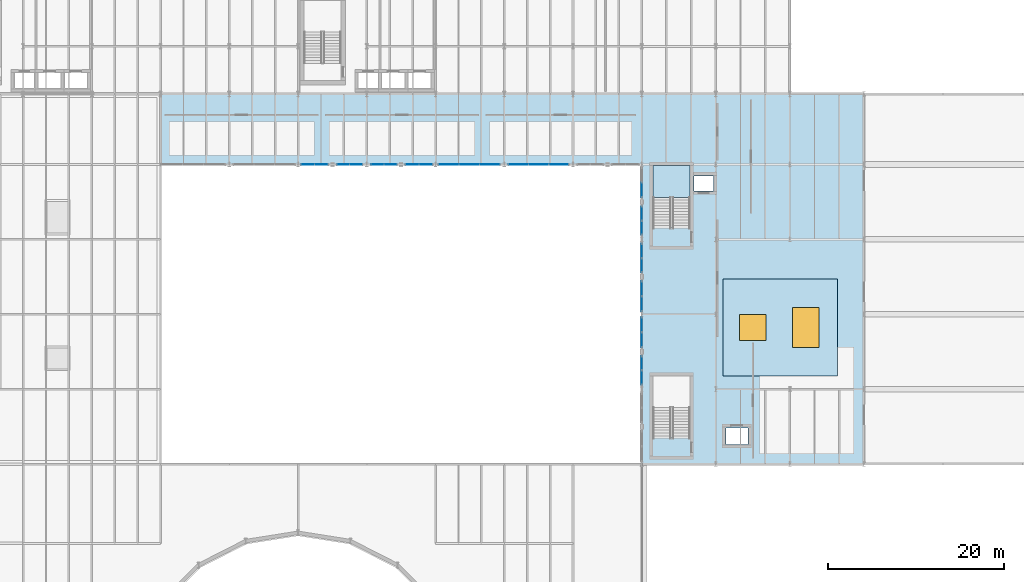
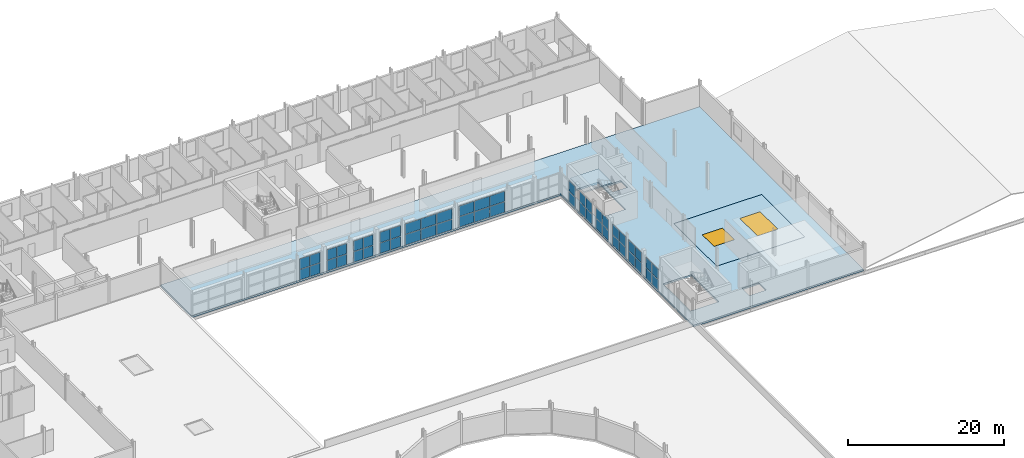
# One storey, part 34 of 58: 50 plates, 3 slabs, 2 windows, 2 openings, 13 elements without a shape of their own.
"""IFC4 building model written with IfcOpenShell, lengths in metres."""

from ifc_helpers import new_model, si_unit, direction, frame, origin, origin_2d, place, context, subcontext, project, spatial, polyline, rectangle, outline, extrude, material, layer, layer_set, type_object, element, fill, aggregate, save


model = new_model("IFC4")

# Units and contexts
model_context = context("Model", 3, precision=1e-05, world=origin(), true_north=direction((0.0, 1.0)))
body_context = subcontext(model_context, "Body", "Model", "MODEL_VIEW")
ifc_project = project(units=[si_unit("LENGTHUNIT", "METRE"), si_unit("AREAUNIT", "SQUARE_METRE"), si_unit("VOLUMEUNIT", "CUBIC_METRE"), si_unit("PLANEANGLEUNIT", "RADIAN"), si_unit("MASSUNIT", "GRAM", prefix="KILO")], contexts=[model_context])

# Site, building, storey
site_placement = place(None, origin())
site = spatial("IfcSite", under=ifc_project, at=site_placement, CompositionType="ELEMENT")
building_placement = place(site_placement, origin())
building = spatial("IfcBuilding", under=site, at=building_placement, Name="Sefraquen Railside Congress Hotel", CompositionType="ELEMENT")
storey_placement = place(building_placement, frame((0.0, 0.0, 16.199951171875)))
storey = spatial("IfcBuildingStorey", under=building, at=storey_placement, Name="L03", CompositionType="ELEMENT", Elevation=16.199951171875)

# Curtain wall, plates
ifc_material_1 = material(Name="Thermally broken anodised aluminium and low-E double glazing", Category="aluminium")
ifc_layer_1 = layer(ifc_material_1, 0.199951171875)
ifc_layer_set_1 = layer_set([ifc_layer_1], Name="Thermally broken anodised aluminium and low-E double glazing")
curtain_wall_type_1 = type_object("IfcCurtainWallType", Name="TCW-UCW-01", PredefinedType="USERDEFINED", material=ifc_layer_set_1)
curtain_wall_1_placement = place(storey_placement, origin())
curtain_wall_1 = element("IfcCurtainWall", 1, at=curtain_wall_1_placement, inside=storey, type_object=curtain_wall_type_1, Name="Meeting Wing L03 courtyard north curtain wall 2", ObjectType="UNITISED CURTAIN WALL", PredefinedType="USERDEFINED")
ifc_material_2 = material(Name="Solar-control low-E double glazing", Category="glass")
ifc_layer_2 = layer(ifc_material_2, 0.02392578125)
ifc_layer_set_2 = layer_set([ifc_layer_2], Name="Solar-control low-E double glazing")
plate_type_1 = type_object("IfcPlateType", Name="TP-CWP-01", PredefinedType="CURTAIN_PANEL", material=ifc_layer_set_2)
plate_1_placement = place(storey_placement, frame((65.28759765625, 88.0, 0.0400390625), z_axis=(0.0, 0.0, 1.0), x_axis=(1.0, 0.0, 0.0)))
plate_1 = element("IfcPlate", 2, at=plate_1_placement, type_object=plate_type_1, Name="CW-L03-065 panel 1.1", PredefinedType="CURTAIN_PANEL", context=body_context, shape_type="SweptSolid", body=[
    extrude(rectangle(XDim=1.465087890625, YDim=0.02392578125, at=origin_2d()), origin(), (0.0, 0.0, 1.0), 1.60498046875),
])
plate_2_placement = place(storey_placement, frame((66.842529296875, 88.0, 0.0400390625), z_axis=(0.0, 0.0, 1.0), x_axis=(1.0, 0.0, 0.0)))
plate_2 = element("IfcPlate", 3, at=plate_2_placement, type_object=plate_type_1, Name="CW-L03-065 panel 1.2", PredefinedType="CURTAIN_PANEL", context=body_context, shape_type="SweptSolid", body=[
    extrude(rectangle(XDim=1.465087890625, YDim=0.02392578125, at=origin_2d()), origin(), (0.0, 0.0, 1.0), 1.60498046875),
])

curtain_wall_2_placement = place(storey_placement, origin())
curtain_wall_2 = element("IfcCurtainWall", 4, at=curtain_wall_2_placement, inside=storey, type_object=curtain_wall_type_1, Name="Meeting Wing L03 courtyard north curtain wall 2 bay 2", ObjectType="UNITISED CURTAIN WALL", PredefinedType="USERDEFINED")
plate_3_placement = place(storey_placement, frame((69.31494140625, 88.0, 0.0400390625), z_axis=(0.0, 0.0, 1.0), x_axis=(1.0, 0.0, 0.0)))
plate_3 = element("IfcPlate", 5, at=plate_3_placement, type_object=plate_type_1, Name="CW-L03-065-S2 panel 1.1", PredefinedType="CURTAIN_PANEL", context=body_context, shape_type="SweptSolid", body=[
    extrude(rectangle(XDim=1.3798828125, YDim=0.02392578125, at=origin_2d()), origin(), (0.0, 0.0, 1.0), 1.60498046875),
])
plate_4_placement = place(storey_placement, frame((70.784912109375, 88.0, 0.0400390625), z_axis=(0.0, 0.0, 1.0), x_axis=(1.0, 0.0, 0.0)))
plate_4 = element("IfcPlate", 6, at=plate_4_placement, type_object=plate_type_1, Name="CW-L03-065-S2 panel 1.2", PredefinedType="CURTAIN_PANEL", context=body_context, shape_type="SweptSolid", body=[
    extrude(rectangle(XDim=1.3798828125, YDim=0.02392578125, at=origin_2d()), origin(), (0.0, 0.0, 1.0), 1.60498046875),
])

curtain_wall_3_placement = place(storey_placement, origin())
curtain_wall_3 = element("IfcCurtainWall", 7, at=curtain_wall_3_placement, inside=storey, type_object=curtain_wall_type_1, Name="Meeting Wing L03 courtyard north curtain wall 2 bay 3", ObjectType="UNITISED CURTAIN WALL", PredefinedType="USERDEFINED")
plate_5_placement = place(storey_placement, frame((73.215087890625, 88.0, 0.0400390625), z_axis=(0.0, 0.0, 1.0), x_axis=(1.0, 0.0, 0.0)))
plate_5 = element("IfcPlate", 8, at=plate_5_placement, type_object=plate_type_1, Name="CW-L03-065-S3 panel 1.1", PredefinedType="CURTAIN_PANEL", context=body_context, shape_type="SweptSolid", body=[
    extrude(rectangle(XDim=1.3798828125, YDim=0.02392578125, at=origin_2d()), origin(), (0.0, 0.0, 1.0), 1.60498046875),
])
plate_6_placement = place(storey_placement, frame((74.68505859375, 88.0, 0.0400390625), z_axis=(0.0, 0.0, 1.0), x_axis=(1.0, 0.0, 0.0)))
plate_6 = element("IfcPlate", 9, at=plate_6_placement, type_object=plate_type_1, Name="CW-L03-065-S3 panel 1.2", PredefinedType="CURTAIN_PANEL", context=body_context, shape_type="SweptSolid", body=[
    extrude(rectangle(XDim=1.3798828125, YDim=0.02392578125, at=origin_2d()), origin(), (0.0, 0.0, 1.0), 1.60498046875),
])

curtain_wall_4_placement = place(storey_placement, origin())
curtain_wall_4 = element("IfcCurtainWall", 10, at=curtain_wall_4_placement, inside=storey, type_object=curtain_wall_type_1, Name="Meeting Wing L03 courtyard north curtain wall 2 bay 4", ObjectType="UNITISED CURTAIN WALL", PredefinedType="USERDEFINED")
plate_7_placement = place(storey_placement, frame((77.157470703125, 88.0, 0.0400390625), z_axis=(0.0, 0.0, 1.0), x_axis=(1.0, 0.0, 0.0)))
plate_7 = element("IfcPlate", 11, at=plate_7_placement, type_object=plate_type_1, Name="CW-L03-065-S4 panel 1.1", PredefinedType="CURTAIN_PANEL", context=body_context, shape_type="SweptSolid", body=[
    extrude(rectangle(XDim=1.465087890625, YDim=0.02392578125, at=origin_2d()), origin(), (0.0, 0.0, 1.0), 1.60498046875),
])
plate_8_placement = place(storey_placement, frame((78.71240234375, 88.0, 0.0400390625), z_axis=(0.0, 0.0, 1.0), x_axis=(1.0, 0.0, 0.0)))
plate_8 = element("IfcPlate", 12, at=plate_8_placement, type_object=plate_type_1, Name="CW-L03-065-S4 panel 1.2", PredefinedType="CURTAIN_PANEL", context=body_context, shape_type="SweptSolid", body=[
    extrude(rectangle(XDim=1.465087890625, YDim=0.02392578125, at=origin_2d()), origin(), (0.0, 0.0, 1.0), 1.60498046875),
])

ifc_layer_3 = layer(ifc_material_1, 0.199951171875)
ifc_layer_set_3 = layer_set([ifc_layer_3], Name="Thermally broken anodised aluminium and low-E double glazing")
curtain_wall_type_2 = type_object("IfcCurtainWallType", Name="TCW-UCW-02", PredefinedType="USERDEFINED", material=ifc_layer_set_3)
curtain_wall_5_placement = place(storey_placement, origin())
curtain_wall_5 = element("IfcCurtainWall", 13, at=curtain_wall_5_placement, inside=storey, type_object=curtain_wall_type_2, Name="Meeting Wing L03 courtyard north curtain wall 3", ObjectType="UNITISED CURTAIN WALL", PredefinedType="USERDEFINED")
plate_9_placement = place(storey_placement, frame((81.2783203125, 88.0, 0.0400390625), z_axis=(0.0, 0.0, 1.0), x_axis=(1.0, 0.0, 0.0)))
plate_9 = element("IfcPlate", 14, at=plate_9_placement, type_object=plate_type_1, Name="CW-L03-066 panel 1.1", PredefinedType="CURTAIN_PANEL", context=body_context, shape_type="SweptSolid", body=[
    extrude(rectangle(XDim=2.24658203125, YDim=0.02392578125, at=origin_2d()), origin(), (0.0, 0.0, 1.0), 1.60498046875),
])
plate_10_placement = place(storey_placement, frame((83.614990234375, 88.0, 0.0400390625), z_axis=(0.0, 0.0, 1.0), x_axis=(1.0, 0.0, 0.0)))
plate_10 = element("IfcPlate", 15, at=plate_10_placement, type_object=plate_type_1, Name="CW-L03-066 panel 1.2", PredefinedType="CURTAIN_PANEL", context=body_context, shape_type="SweptSolid", body=[
    extrude(rectangle(XDim=2.24658203125, YDim=0.02392578125, at=origin_2d()), origin(), (0.0, 0.0, 1.0), 1.60498046875),
])
plate_11_placement = place(storey_placement, frame((85.95166015625, 88.0, 0.0400390625), z_axis=(0.0, 0.0, 1.0), x_axis=(1.0, 0.0, 0.0)))
plate_11 = element("IfcPlate", 16, at=plate_11_placement, type_object=plate_type_1, Name="CW-L03-066 panel 1.3", PredefinedType="CURTAIN_PANEL", context=body_context, shape_type="SweptSolid", body=[
    extrude(rectangle(XDim=2.24658203125, YDim=0.02392578125, at=origin_2d()), origin(), (0.0, 0.0, 1.0), 1.60498046875),
])

curtain_wall_6_placement = place(storey_placement, origin())
curtain_wall_6 = element("IfcCurtainWall", 17, at=curtain_wall_6_placement, inside=storey, type_object=curtain_wall_type_2, Name="Meeting Wing L03 courtyard north curtain wall 3 bay 2", ObjectType="UNITISED CURTAIN WALL", PredefinedType="USERDEFINED")
plate_12_placement = place(storey_placement, frame((89.219970703125, 88.0, 0.0400390625), z_axis=(0.0, 0.0, 1.0), x_axis=(1.0, 0.0, 0.0)))
plate_12 = element("IfcPlate", 18, at=plate_12_placement, type_object=plate_type_1, Name="CW-L03-066-S2 panel 1.1", PredefinedType="CURTAIN_PANEL", context=body_context, shape_type="SweptSolid", body=[
    extrude(rectangle(XDim=2.18994140625, YDim=0.02392578125, at=origin_2d()), origin(), (0.0, 0.0, 1.0), 1.60498046875),
])
plate_13_placement = place(storey_placement, frame((91.5, 88.0, 0.0400390625), z_axis=(0.0, 0.0, 1.0), x_axis=(1.0, 0.0, 0.0)))
plate_13 = element("IfcPlate", 19, at=plate_13_placement, type_object=plate_type_1, Name="CW-L03-066-S2 panel 1.2", PredefinedType="CURTAIN_PANEL", context=body_context, shape_type="SweptSolid", body=[
    extrude(rectangle(XDim=2.18994140625, YDim=0.02392578125, at=origin_2d()), origin(), (0.0, 0.0, 1.0), 1.60498046875),
])
plate_14_placement = place(storey_placement, frame((93.780029296875, 88.0, 0.0400390625), z_axis=(0.0, 0.0, 1.0), x_axis=(1.0, 0.0, 0.0)))
plate_14 = element("IfcPlate", 20, at=plate_14_placement, type_object=plate_type_1, Name="CW-L03-066-S2 panel 1.3", PredefinedType="CURTAIN_PANEL", context=body_context, shape_type="SweptSolid", body=[
    extrude(rectangle(XDim=2.18994140625, YDim=0.02392578125, at=origin_2d()), origin(), (0.0, 0.0, 1.0), 1.60498046875),
])

ifc_layer_4 = layer(ifc_material_1, 0.199951171875)
ifc_layer_set_4 = layer_set([ifc_layer_4], Name="Thermally broken anodised aluminium and low-E double glazing")
curtain_wall_type_3 = type_object("IfcCurtainWallType", Name="TCW-UCW-03", PredefinedType="USERDEFINED", material=ifc_layer_set_4)
curtain_wall_7_placement = place(storey_placement, origin())
curtain_wall_7 = element("IfcCurtainWall", 21, at=curtain_wall_7_placement, inside=storey, type_object=curtain_wall_type_3, Name="Meeting Wing L03 courtyard east curtain wall bay 3", ObjectType="UNITISED CURTAIN WALL", PredefinedType="USERDEFINED")
plate_15_placement = place(storey_placement, frame((103.199951171875, 63.802490234375, 0.0400390625), z_axis=(0.0, 0.0, 1.0), x_axis=(0.0, 1.0, 0.0)))
plate_15 = element("IfcPlate", 22, at=plate_15_placement, type_object=plate_type_1, Name="CW-L03-067-S3 panel 1.1", PredefinedType="CURTAIN_PANEL", context=body_context, shape_type="SweptSolid", body=[
    extrude(rectangle(XDim=1.554931640625, YDim=0.02392578125, at=origin_2d()), origin(), (0.0, 0.0, 1.0), 1.60498046875),
])
plate_16_placement = place(storey_placement, frame((103.199951171875, 65.447509765625, 0.0400390625), z_axis=(0.0, 0.0, 1.0), x_axis=(0.0, 1.0, 0.0)))
plate_16 = element("IfcPlate", 23, at=plate_16_placement, type_object=plate_type_1, Name="CW-L03-067-S3 panel 1.2", PredefinedType="CURTAIN_PANEL", context=body_context, shape_type="SweptSolid", body=[
    extrude(rectangle(XDim=1.554931640625, YDim=0.02392578125, at=origin_2d()), origin(), (0.0, 0.0, 1.0), 1.60498046875),
])

curtain_wall_8_placement = place(storey_placement, origin())
curtain_wall_8 = element("IfcCurtainWall", 24, at=curtain_wall_8_placement, inside=storey, type_object=curtain_wall_type_3, Name="Meeting Wing L03 courtyard east curtain wall bay 4", ObjectType="UNITISED CURTAIN WALL", PredefinedType="USERDEFINED")
plate_17_placement = place(storey_placement, frame((103.199951171875, 68.094970703125, 0.0400390625), z_axis=(0.0, 0.0, 1.0), x_axis=(0.0, 1.0, 0.0)))
plate_17 = element("IfcPlate", 25, at=plate_17_placement, type_object=plate_type_1, Name="CW-L03-067-S4 panel 1.1", PredefinedType="CURTAIN_PANEL", context=body_context, shape_type="SweptSolid", body=[
    extrude(rectangle(XDim=1.639892578125, YDim=0.02392578125, at=origin_2d()), origin(), (0.0, 0.0, 1.0), 1.60498046875),
])
plate_18_placement = place(storey_placement, frame((103.199951171875, 69.824951171875, 0.0400390625), z_axis=(0.0, 0.0, 1.0), x_axis=(0.0, 1.0, 0.0)))
plate_18 = element("IfcPlate", 26, at=plate_18_placement, type_object=plate_type_1, Name="CW-L03-067-S4 panel 1.2", PredefinedType="CURTAIN_PANEL", context=body_context, shape_type="SweptSolid", body=[
    extrude(rectangle(XDim=1.639892578125, YDim=0.02392578125, at=origin_2d()), origin(), (0.0, 0.0, 1.0), 1.60498046875),
])

ifc_layer_5 = layer(ifc_material_1, 0.199951171875)
ifc_layer_set_5 = layer_set([ifc_layer_5], Name="Thermally broken anodised aluminium and low-E double glazing")
curtain_wall_type_4 = type_object("IfcCurtainWallType", Name="TCW-UCW-04", PredefinedType="USERDEFINED", material=ifc_layer_set_5)
curtain_wall_9_placement = place(storey_placement, origin())
curtain_wall_9 = element("IfcCurtainWall", 27, at=curtain_wall_9_placement, inside=storey, type_object=curtain_wall_type_4, Name="Meeting Wing L03 courtyard east curtain wall", ObjectType="UNITISED CURTAIN WALL", PredefinedType="USERDEFINED")
plate_19_placement = place(storey_placement, frame((103.199951171875, 72.175048828125, 0.0400390625), z_axis=(0.0, 0.0, 1.0), x_axis=(0.0, 1.0, 0.0)))
plate_19 = element("IfcPlate", 28, at=plate_19_placement, type_object=plate_type_1, Name="CW-L03-068 panel 1.1", PredefinedType="CURTAIN_PANEL", context=body_context, shape_type="SweptSolid", body=[
    extrude(rectangle(XDim=1.639892578125, YDim=0.02392578125, at=origin_2d()), origin(), (0.0, 0.0, 1.0), 1.60498046875),
])
plate_20_placement = place(storey_placement, frame((103.199951171875, 73.905029296875, 0.0400390625), z_axis=(0.0, 0.0, 1.0), x_axis=(0.0, 1.0, 0.0)))
plate_20 = element("IfcPlate", 29, at=plate_20_placement, type_object=plate_type_1, Name="CW-L03-068 panel 1.2", PredefinedType="CURTAIN_PANEL", context=body_context, shape_type="SweptSolid", body=[
    extrude(rectangle(XDim=1.639892578125, YDim=0.02392578125, at=origin_2d()), origin(), (0.0, 0.0, 1.0), 1.60498046875),
])

curtain_wall_10_placement = place(storey_placement, origin())
curtain_wall_10 = element("IfcCurtainWall", 30, at=curtain_wall_10_placement, inside=storey, type_object=curtain_wall_type_4, Name="Meeting Wing L03 courtyard east curtain wall bay 2", ObjectType="UNITISED CURTAIN WALL", PredefinedType="USERDEFINED")
plate_21_placement = place(storey_placement, frame((103.199951171875, 76.552490234375, 0.0400390625), z_axis=(0.0, 0.0, 1.0), x_axis=(0.0, 1.0, 0.0)))
plate_21 = element("IfcPlate", 31, at=plate_21_placement, type_object=plate_type_1, Name="CW-L03-068-S2 panel 1.1", PredefinedType="CURTAIN_PANEL", context=body_context, shape_type="SweptSolid", body=[
    extrude(rectangle(XDim=1.554931640625, YDim=0.02392578125, at=origin_2d()), origin(), (0.0, 0.0, 1.0), 1.60498046875),
])
plate_22_placement = place(storey_placement, frame((103.199951171875, 78.197509765625, 0.0400390625), z_axis=(0.0, 0.0, 1.0), x_axis=(0.0, 1.0, 0.0)))
plate_22 = element("IfcPlate", 32, at=plate_22_placement, type_object=plate_type_1, Name="CW-L03-068-S2 panel 1.2", PredefinedType="CURTAIN_PANEL", context=body_context, shape_type="SweptSolid", body=[
    extrude(rectangle(XDim=1.554931640625, YDim=0.02392578125, at=origin_2d()), origin(), (0.0, 0.0, 1.0), 1.60498046875),
])

curtain_wall_11_placement = place(storey_placement, origin())
curtain_wall_11 = element("IfcCurtainWall", 33, at=curtain_wall_11_placement, inside=storey, type_object=curtain_wall_type_4, Name="Meeting Wing L03 courtyard east curtain wall bay 3", ObjectType="UNITISED CURTAIN WALL", PredefinedType="USERDEFINED")
plate_23_placement = place(storey_placement, frame((103.199951171875, 80.802490234375, 0.0400390625), z_axis=(0.0, 0.0, 1.0), x_axis=(0.0, 1.0, 0.0)))
plate_23 = element("IfcPlate", 34, at=plate_23_placement, type_object=plate_type_1, Name="CW-L03-068-S3 panel 1.1", PredefinedType="CURTAIN_PANEL", context=body_context, shape_type="SweptSolid", body=[
    extrude(rectangle(XDim=1.554931640625, YDim=0.02392578125, at=origin_2d()), origin(), (0.0, 0.0, 1.0), 1.60498046875),
])
plate_24_placement = place(storey_placement, frame((103.199951171875, 82.447509765625, 0.0400390625), z_axis=(0.0, 0.0, 1.0), x_axis=(0.0, 1.0, 0.0)))
plate_24 = element("IfcPlate", 35, at=plate_24_placement, type_object=plate_type_1, Name="CW-L03-068-S3 panel 1.2", PredefinedType="CURTAIN_PANEL", context=body_context, shape_type="SweptSolid", body=[
    extrude(rectangle(XDim=1.554931640625, YDim=0.02392578125, at=origin_2d()), origin(), (0.0, 0.0, 1.0), 1.60498046875),
])

# Curtain wall, plate
curtain_wall_12_placement = place(storey_placement, origin())
curtain_wall_12 = element("IfcCurtainWall", 36, at=curtain_wall_12_placement, inside=storey, type_object=curtain_wall_type_4, Name="Meeting Wing L03 courtyard east curtain wall bay 4", ObjectType="UNITISED CURTAIN WALL", PredefinedType="USERDEFINED")
plate_25_placement = place(storey_placement, frame((103.199951171875, 85.094970703125, 0.0400390625), z_axis=(0.0, 0.0, 1.0), x_axis=(0.0, 1.0, 0.0)))
plate_25 = element("IfcPlate", 37, at=plate_25_placement, type_object=plate_type_1, Name="CW-L03-068-S4 panel 1.1", PredefinedType="CURTAIN_PANEL", context=body_context, shape_type="SweptSolid", body=[
    extrude(rectangle(XDim=1.639892578125, YDim=0.02392578125, at=origin_2d()), origin(), (0.0, 0.0, 1.0), 1.60498046875),
])

# Plate
ifc_material_3 = material(Name="Triple acoustic solar-control glazing", Category="glass")
ifc_layer_6 = layer(ifc_material_3, 0.031982421875)
ifc_layer_set_6 = layer_set([ifc_layer_6], Name="Triple acoustic solar-control glazing")
plate_type_2 = type_object("IfcPlateType", Name="TP-CWP-02", PredefinedType="CURTAIN_PANEL", material=ifc_layer_set_6)
plate_26_placement = place(storey_placement, frame((65.28759765625, 88.0, 1.72509765625), z_axis=(0.0, 0.0, 1.0), x_axis=(1.0, 0.0, 0.0)))
plate_26 = element("IfcPlate", 38, at=plate_26_placement, type_object=plate_type_2, Name="CW-L03-065 panel 2.1", PredefinedType="CURTAIN_PANEL", context=body_context, shape_type="SweptSolid", body=[
    extrude(rectangle(XDim=1.465087890625, YDim=0.031982421875, at=origin_2d()), origin(), (0.0, 0.0, 1.0), 1.60498046875),
])

plate_27_placement = place(storey_placement, frame((66.842529296875, 88.0, 1.72509765625), z_axis=(0.0, 0.0, 1.0), x_axis=(1.0, 0.0, 0.0)))
plate_27 = element("IfcPlate", 39, at=plate_27_placement, type_object=plate_type_2, Name="CW-L03-065 panel 2.2", PredefinedType="CURTAIN_PANEL", context=body_context, shape_type="SweptSolid", body=[
    extrude(rectangle(XDim=1.465087890625, YDim=0.031982421875, at=origin_2d()), origin(), (0.0, 0.0, 1.0), 1.60498046875),
])

aggregate(curtain_wall_1, [plate_1, plate_2, plate_26, plate_27])

plate_28_placement = place(storey_placement, frame((69.31494140625, 88.0, 1.72509765625), z_axis=(0.0, 0.0, 1.0), x_axis=(1.0, 0.0, 0.0)))
plate_28 = element("IfcPlate", 40, at=plate_28_placement, type_object=plate_type_2, Name="CW-L03-065-S2 panel 2.1", PredefinedType="CURTAIN_PANEL", context=body_context, shape_type="SweptSolid", body=[
    extrude(rectangle(XDim=1.3798828125, YDim=0.031982421875, at=origin_2d()), origin(), (0.0, 0.0, 1.0), 1.60498046875),
])

plate_29_placement = place(storey_placement, frame((70.784912109375, 88.0, 1.72509765625), z_axis=(0.0, 0.0, 1.0), x_axis=(1.0, 0.0, 0.0)))
plate_29 = element("IfcPlate", 41, at=plate_29_placement, type_object=plate_type_2, Name="CW-L03-065-S2 panel 2.2", PredefinedType="CURTAIN_PANEL", context=body_context, shape_type="SweptSolid", body=[
    extrude(rectangle(XDim=1.3798828125, YDim=0.031982421875, at=origin_2d()), origin(), (0.0, 0.0, 1.0), 1.60498046875),
])

aggregate(curtain_wall_2, [plate_3, plate_4, plate_28, plate_29])

plate_30_placement = place(storey_placement, frame((73.215087890625, 88.0, 1.72509765625), z_axis=(0.0, 0.0, 1.0), x_axis=(1.0, 0.0, 0.0)))
plate_30 = element("IfcPlate", 42, at=plate_30_placement, type_object=plate_type_2, Name="CW-L03-065-S3 panel 2.1", PredefinedType="CURTAIN_PANEL", context=body_context, shape_type="SweptSolid", body=[
    extrude(rectangle(XDim=1.3798828125, YDim=0.031982421875, at=origin_2d()), origin(), (0.0, 0.0, 1.0), 1.60498046875),
])

plate_31_placement = place(storey_placement, frame((74.68505859375, 88.0, 1.72509765625), z_axis=(0.0, 0.0, 1.0), x_axis=(1.0, 0.0, 0.0)))
plate_31 = element("IfcPlate", 43, at=plate_31_placement, type_object=plate_type_2, Name="CW-L03-065-S3 panel 2.2", PredefinedType="CURTAIN_PANEL", context=body_context, shape_type="SweptSolid", body=[
    extrude(rectangle(XDim=1.3798828125, YDim=0.031982421875, at=origin_2d()), origin(), (0.0, 0.0, 1.0), 1.60498046875),
])

aggregate(curtain_wall_3, [plate_5, plate_6, plate_30, plate_31])

plate_32_placement = place(storey_placement, frame((77.157470703125, 88.0, 1.72509765625), z_axis=(0.0, 0.0, 1.0), x_axis=(1.0, 0.0, 0.0)))
plate_32 = element("IfcPlate", 44, at=plate_32_placement, type_object=plate_type_2, Name="CW-L03-065-S4 panel 2.1", PredefinedType="CURTAIN_PANEL", context=body_context, shape_type="SweptSolid", body=[
    extrude(rectangle(XDim=1.465087890625, YDim=0.031982421875, at=origin_2d()), origin(), (0.0, 0.0, 1.0), 1.60498046875),
])

plate_33_placement = place(storey_placement, frame((78.71240234375, 88.0, 1.72509765625), z_axis=(0.0, 0.0, 1.0), x_axis=(1.0, 0.0, 0.0)))
plate_33 = element("IfcPlate", 45, at=plate_33_placement, type_object=plate_type_2, Name="CW-L03-065-S4 panel 2.2", PredefinedType="CURTAIN_PANEL", context=body_context, shape_type="SweptSolid", body=[
    extrude(rectangle(XDim=1.465087890625, YDim=0.031982421875, at=origin_2d()), origin(), (0.0, 0.0, 1.0), 1.60498046875),
])

aggregate(curtain_wall_4, [plate_7, plate_8, plate_32, plate_33])

plate_34_placement = place(storey_placement, frame((81.2783203125, 88.0, 1.72509765625), z_axis=(0.0, 0.0, 1.0), x_axis=(1.0, 0.0, 0.0)))
plate_34 = element("IfcPlate", 46, at=plate_34_placement, type_object=plate_type_2, Name="CW-L03-066 panel 2.1", PredefinedType="CURTAIN_PANEL", context=body_context, shape_type="SweptSolid", body=[
    extrude(rectangle(XDim=2.24658203125, YDim=0.031982421875, at=origin_2d()), origin(), (0.0, 0.0, 1.0), 1.60498046875),
])

plate_35_placement = place(storey_placement, frame((83.614990234375, 88.0, 1.72509765625), z_axis=(0.0, 0.0, 1.0), x_axis=(1.0, 0.0, 0.0)))
plate_35 = element("IfcPlate", 47, at=plate_35_placement, type_object=plate_type_2, Name="CW-L03-066 panel 2.2", PredefinedType="CURTAIN_PANEL", context=body_context, shape_type="SweptSolid", body=[
    extrude(rectangle(XDim=2.24658203125, YDim=0.031982421875, at=origin_2d()), origin(), (0.0, 0.0, 1.0), 1.60498046875),
])

plate_36_placement = place(storey_placement, frame((85.95166015625, 88.0, 1.72509765625), z_axis=(0.0, 0.0, 1.0), x_axis=(1.0, 0.0, 0.0)))
plate_36 = element("IfcPlate", 48, at=plate_36_placement, type_object=plate_type_2, Name="CW-L03-066 panel 2.3", PredefinedType="CURTAIN_PANEL", context=body_context, shape_type="SweptSolid", body=[
    extrude(rectangle(XDim=2.24658203125, YDim=0.031982421875, at=origin_2d()), origin(), (0.0, 0.0, 1.0), 1.60498046875),
])

aggregate(curtain_wall_5, [plate_9, plate_10, plate_11, plate_34, plate_35, plate_36])

plate_37_placement = place(storey_placement, frame((89.219970703125, 88.0, 1.72509765625), z_axis=(0.0, 0.0, 1.0), x_axis=(1.0, 0.0, 0.0)))
plate_37 = element("IfcPlate", 49, at=plate_37_placement, type_object=plate_type_2, Name="CW-L03-066-S2 panel 2.1", PredefinedType="CURTAIN_PANEL", context=body_context, shape_type="SweptSolid", body=[
    extrude(rectangle(XDim=2.18994140625, YDim=0.031982421875, at=origin_2d()), origin(), (0.0, 0.0, 1.0), 1.60498046875),
])

plate_38_placement = place(storey_placement, frame((91.5, 88.0, 1.72509765625), z_axis=(0.0, 0.0, 1.0), x_axis=(1.0, 0.0, 0.0)))
plate_38 = element("IfcPlate", 50, at=plate_38_placement, type_object=plate_type_2, Name="CW-L03-066-S2 panel 2.2", PredefinedType="CURTAIN_PANEL", context=body_context, shape_type="SweptSolid", body=[
    extrude(rectangle(XDim=2.18994140625, YDim=0.031982421875, at=origin_2d()), origin(), (0.0, 0.0, 1.0), 1.60498046875),
])

plate_39_placement = place(storey_placement, frame((93.780029296875, 88.0, 1.72509765625), z_axis=(0.0, 0.0, 1.0), x_axis=(1.0, 0.0, 0.0)))
plate_39 = element("IfcPlate", 51, at=plate_39_placement, type_object=plate_type_2, Name="CW-L03-066-S2 panel 2.3", PredefinedType="CURTAIN_PANEL", context=body_context, shape_type="SweptSolid", body=[
    extrude(rectangle(XDim=2.18994140625, YDim=0.031982421875, at=origin_2d()), origin(), (0.0, 0.0, 1.0), 1.60498046875),
])

aggregate(curtain_wall_6, [plate_12, plate_13, plate_14, plate_37, plate_38, plate_39])

plate_40_placement = place(storey_placement, frame((103.199951171875, 63.802490234375, 1.72509765625), z_axis=(0.0, 0.0, 1.0), x_axis=(0.0, 1.0, 0.0)))
plate_40 = element("IfcPlate", 52, at=plate_40_placement, type_object=plate_type_2, Name="CW-L03-067-S3 panel 2.1", PredefinedType="CURTAIN_PANEL", context=body_context, shape_type="SweptSolid", body=[
    extrude(rectangle(XDim=1.554931640625, YDim=0.031982421875, at=origin_2d()), origin(), (0.0, 0.0, 1.0), 1.60498046875),
])

plate_41_placement = place(storey_placement, frame((103.199951171875, 65.447509765625, 1.72509765625), z_axis=(0.0, 0.0, 1.0), x_axis=(0.0, 1.0, 0.0)))
plate_41 = element("IfcPlate", 53, at=plate_41_placement, type_object=plate_type_2, Name="CW-L03-067-S3 panel 2.2", PredefinedType="CURTAIN_PANEL", context=body_context, shape_type="SweptSolid", body=[
    extrude(rectangle(XDim=1.554931640625, YDim=0.031982421875, at=origin_2d()), origin(), (0.0, 0.0, 1.0), 1.60498046875),
])

aggregate(curtain_wall_7, [plate_15, plate_16, plate_40, plate_41])

plate_42_placement = place(storey_placement, frame((103.199951171875, 68.094970703125, 1.72509765625), z_axis=(0.0, 0.0, 1.0), x_axis=(0.0, 1.0, 0.0)))
plate_42 = element("IfcPlate", 54, at=plate_42_placement, type_object=plate_type_2, Name="CW-L03-067-S4 panel 2.1", PredefinedType="CURTAIN_PANEL", context=body_context, shape_type="SweptSolid", body=[
    extrude(rectangle(XDim=1.639892578125, YDim=0.031982421875, at=origin_2d()), origin(), (0.0, 0.0, 1.0), 1.60498046875),
])

plate_43_placement = place(storey_placement, frame((103.199951171875, 69.824951171875, 1.72509765625), z_axis=(0.0, 0.0, 1.0), x_axis=(0.0, 1.0, 0.0)))
plate_43 = element("IfcPlate", 55, at=plate_43_placement, type_object=plate_type_2, Name="CW-L03-067-S4 panel 2.2", PredefinedType="CURTAIN_PANEL", context=body_context, shape_type="SweptSolid", body=[
    extrude(rectangle(XDim=1.639892578125, YDim=0.031982421875, at=origin_2d()), origin(), (0.0, 0.0, 1.0), 1.60498046875),
])

aggregate(curtain_wall_8, [plate_17, plate_18, plate_42, plate_43])

plate_44_placement = place(storey_placement, frame((103.199951171875, 72.175048828125, 1.72509765625), z_axis=(0.0, 0.0, 1.0), x_axis=(0.0, 1.0, 0.0)))
plate_44 = element("IfcPlate", 56, at=plate_44_placement, type_object=plate_type_2, Name="CW-L03-068 panel 2.1", PredefinedType="CURTAIN_PANEL", context=body_context, shape_type="SweptSolid", body=[
    extrude(rectangle(XDim=1.639892578125, YDim=0.031982421875, at=origin_2d()), origin(), (0.0, 0.0, 1.0), 1.60498046875),
])

plate_45_placement = place(storey_placement, frame((103.199951171875, 73.905029296875, 1.72509765625), z_axis=(0.0, 0.0, 1.0), x_axis=(0.0, 1.0, 0.0)))
plate_45 = element("IfcPlate", 57, at=plate_45_placement, type_object=plate_type_2, Name="CW-L03-068 panel 2.2", PredefinedType="CURTAIN_PANEL", context=body_context, shape_type="SweptSolid", body=[
    extrude(rectangle(XDim=1.639892578125, YDim=0.031982421875, at=origin_2d()), origin(), (0.0, 0.0, 1.0), 1.60498046875),
])

aggregate(curtain_wall_9, [plate_19, plate_20, plate_44, plate_45])

plate_46_placement = place(storey_placement, frame((103.199951171875, 76.552490234375, 1.72509765625), z_axis=(0.0, 0.0, 1.0), x_axis=(0.0, 1.0, 0.0)))
plate_46 = element("IfcPlate", 58, at=plate_46_placement, type_object=plate_type_2, Name="CW-L03-068-S2 panel 2.1", PredefinedType="CURTAIN_PANEL", context=body_context, shape_type="SweptSolid", body=[
    extrude(rectangle(XDim=1.554931640625, YDim=0.031982421875, at=origin_2d()), origin(), (0.0, 0.0, 1.0), 1.60498046875),
])

plate_47_placement = place(storey_placement, frame((103.199951171875, 78.197509765625, 1.72509765625), z_axis=(0.0, 0.0, 1.0), x_axis=(0.0, 1.0, 0.0)))
plate_47 = element("IfcPlate", 59, at=plate_47_placement, type_object=plate_type_2, Name="CW-L03-068-S2 panel 2.2", PredefinedType="CURTAIN_PANEL", context=body_context, shape_type="SweptSolid", body=[
    extrude(rectangle(XDim=1.554931640625, YDim=0.031982421875, at=origin_2d()), origin(), (0.0, 0.0, 1.0), 1.60498046875),
])

aggregate(curtain_wall_10, [plate_21, plate_22, plate_46, plate_47])

plate_48_placement = place(storey_placement, frame((103.199951171875, 80.802490234375, 1.72509765625), z_axis=(0.0, 0.0, 1.0), x_axis=(0.0, 1.0, 0.0)))
plate_48 = element("IfcPlate", 60, at=plate_48_placement, type_object=plate_type_2, Name="CW-L03-068-S3 panel 2.1", PredefinedType="CURTAIN_PANEL", context=body_context, shape_type="SweptSolid", body=[
    extrude(rectangle(XDim=1.554931640625, YDim=0.031982421875, at=origin_2d()), origin(), (0.0, 0.0, 1.0), 1.60498046875),
])

plate_49_placement = place(storey_placement, frame((103.199951171875, 82.447509765625, 1.72509765625), z_axis=(0.0, 0.0, 1.0), x_axis=(0.0, 1.0, 0.0)))
plate_49 = element("IfcPlate", 61, at=plate_49_placement, type_object=plate_type_2, Name="CW-L03-068-S3 panel 2.2", PredefinedType="CURTAIN_PANEL", context=body_context, shape_type="SweptSolid", body=[
    extrude(rectangle(XDim=1.554931640625, YDim=0.031982421875, at=origin_2d()), origin(), (0.0, 0.0, 1.0), 1.60498046875),
])

aggregate(curtain_wall_11, [plate_23, plate_24, plate_48, plate_49])

plate_50_placement = place(storey_placement, frame((103.199951171875, 85.094970703125, 1.72509765625), z_axis=(0.0, 0.0, 1.0), x_axis=(0.0, 1.0, 0.0)))
plate_50 = element("IfcPlate", 62, at=plate_50_placement, type_object=plate_type_2, Name="CW-L03-068-S4 panel 2.1", PredefinedType="CURTAIN_PANEL", context=body_context, shape_type="SweptSolid", body=[
    extrude(rectangle(XDim=1.639892578125, YDim=0.031982421875, at=origin_2d()), origin(), (0.0, 0.0, 1.0), 1.60498046875),
])

aggregate(curtain_wall_12, [plate_25, plate_50])

# Slab
ifc_material_4 = material(Name="Concrete C40/50", Category="concrete")
ifc_layer_7 = layer(ifc_material_4, 0.280029296875)
ifc_layer_set_7 = layer_set([ifc_layer_7], Name="Concrete C40/50")
slab_type_1 = type_object("IfcSlabType", Name="TS-FS-280", PredefinedType="FLOOR", material=ifc_layer_set_7)
slab_1_placement = place(storey_placement, frame((0.0, 0.0, -0.280029296875)))
element("IfcSlab", 63, at=slab_1_placement, inside=storey, type_object=slab_type_1, Name="Meeting Wing L03 floor slab", PredefinedType="FLOOR", context=body_context, shape_type="SweptSolid", body=[
    extrude(outline(polyline([(48.60009765625, 88.0), (103.199951171875, 88.0), (103.199951171875, 54.050048828125), (128.35009765625, 54.050048828125), (128.35009765625, 96.0), (48.60009765625, 96.0), (48.60009765625, 88.0)]), holes=[polyline([(104.5, 80.8701171875), (108.659912109375, 80.8701171875), (108.659912109375, 87.862060546875), (104.5, 87.862060546875), (104.5, 80.8701171875)]), polyline([(104.5, 57.02001953125), (108.659912109375, 57.02001953125), (108.659912109375, 64.011962890625), (104.5, 64.011962890625), (104.5, 57.02001953125)]), polyline([(109.1298828125, 85.0), (111.330078125, 85.0), (111.330078125, 86.699951171875), (109.1298828125, 86.699951171875), (109.1298828125, 85.0)]), polyline([(112.75, 56.219970703125), (115.25, 56.219970703125), (115.25, 58.1201171875), (112.75, 58.1201171875), (112.75, 56.219970703125)]), polyline([(112.39990234375, 64.0), (125.39990234375, 64.0), (125.39990234375, 75.0), (112.39990234375, 75.0), (112.39990234375, 64.0)])]), origin(), (0.0, 0.0, 1.0), 0.280029296875),
])

# Stair, slab
stair_type = type_object("IfcStairType", Name="TST-DOG-198-480", PredefinedType="HALF_TURN_STAIR", material=ifc_material_4)
stair_placement = place(storey_placement, origin())
stair = element("IfcStair", 64, at=stair_placement, inside=storey, type_object=stair_type, Name="L03 Pressurized escape stair ST-M01", PredefinedType="HALF_TURN_STAIR")
ifc_layer_8 = layer(ifc_material_4, 0.199951171875)
ifc_layer_set_8 = layer_set([ifc_layer_8], Name="Concrete C40/50")
slab_type_2 = type_object("IfcSlabType", Name="TS-LD-200", PredefinedType="LANDING", material=ifc_layer_set_8)
slab_2_placement = place(storey_placement, frame((0.0, 0.0, 1.900146484375)))
slab_2 = element("IfcSlab", 65, at=slab_2_placement, type_object=slab_type_2, Name="ST-M01 landing 1", PredefinedType="LANDING", context=body_context, shape_type="SweptSolid", body=[
    extrude(outline(polyline([(108.659912109375, 84.27197265625), (108.659912109375, 87.862060546875), (104.5, 87.862060546875), (104.5, 84.27197265625), (108.659912109375, 84.27197265625)])), origin(), (0.0, 0.0, 1.0), 0.199951171875),
])
aggregate(stair, [slab_2])

# Slab, openings, windows
ifc_layer_9 = layer(ifc_material_4, 0.260009765625)
ifc_layer_set_9 = layer_set([ifc_layer_9], Name="Concrete C40/50")
slab_type_3 = type_object("IfcSlabType", Name="TS-RF-260", PredefinedType="ROOF", material=ifc_layer_set_9)
slab_3_placement = place(storey_placement, frame((0.0, 0.0, -0.260009765625)))
slab_3 = element("IfcSlab", 66, at=slab_3_placement, inside=storey, type_object=slab_type_3, Name="Covered Public Passage atrium skylight roof slab", PredefinedType="ROOF", context=body_context, shape_type="SweptSolid", body=[
    extrude(outline(polyline([(112.39990234375, 64.0), (125.39990234375, 64.0), (125.39990234375, 75.0), (112.39990234375, 75.0), (112.39990234375, 64.0)])), origin(), (0.0, 0.0, 1.0), 0.260009765625),
])
opening_1_placement = place(slab_3_placement, frame((115.800048828125, 69.5, -0.010009765625)))
opening_1 = element("IfcOpeningElement", 67, at=opening_1_placement, cuts=slab_3, Name="Opening SK-01", PredefinedType="OPENING", context=body_context, shape_type="SweptSolid", body=[
    extrude(rectangle(XDim=3.0, YDim=3.0, at=origin_2d()), origin(), (0.0, 0.0, 1.0), 0.280029296875),
])
opening_2_placement = place(slab_3_placement, frame((121.800048828125, 69.5, -0.010009765625)))
opening_2 = element("IfcOpeningElement", 68, at=opening_2_placement, cuts=slab_3, Name="Opening SK-02", PredefinedType="OPENING", context=body_context, shape_type="SweptSolid", body=[
    extrude(rectangle(XDim=3.0, YDim=4.5, at=origin_2d()), origin(), (0.0, 0.0, 1.0), 0.280029296875),
])
ifc_material_5 = material(Name="Laminated solar-control skylight glazing in bronze kerb", Category="glass")
window_type_1 = type_object("IfcWindowType", Name="TWN-SK-01", PartitioningType="SINGLE_PANEL", PredefinedType="SKYLIGHT", material=ifc_material_5)
window_1_placement = place(opening_1_placement, frame((0.0, 0.0, 0.219970703125)))
window_1 = element("IfcWindow", 69, at=window_1_placement, inside=storey, type_object=window_type_1, Name="Glazed roof skylight or hatch WIN-L03-ATRIUM-SK1", OverallHeight=3.0, OverallWidth=3.0, PartitioningType="SINGLE_PANEL", PredefinedType="SKYLIGHT", context=body_context, shape_type="SweptSolid", body=[
    extrude(rectangle(XDim=3.0, YDim=3.0, at=origin_2d()), origin(), (0.0, 0.0, 1.0), 0.050048828125),
])
fill(opening_1, window_1)
window_type_2 = type_object("IfcWindowType", Name="TWN-SK-02", PartitioningType="SINGLE_PANEL", PredefinedType="SKYLIGHT", material=ifc_material_5)
window_2_placement = place(opening_2_placement, frame((0.0, 0.0, 0.219970703125)))
window_2 = element("IfcWindow", 70, at=window_2_placement, inside=storey, type_object=window_type_2, Name="Glazed roof skylight or hatch WIN-L03-ATRIUM-SK2", OverallHeight=4.5, OverallWidth=3.0, PartitioningType="SINGLE_PANEL", PredefinedType="SKYLIGHT", context=body_context, shape_type="SweptSolid", body=[
    extrude(rectangle(XDim=3.0, YDim=4.5, at=origin_2d()), origin(), (0.0, 0.0, 1.0), 0.050048828125),
])
fill(opening_2, window_2)

save(model, "model.ifc")
